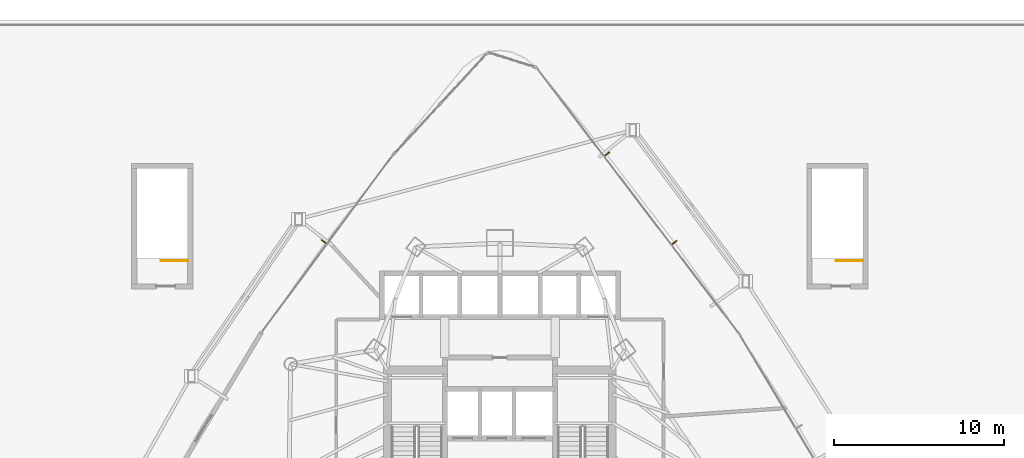
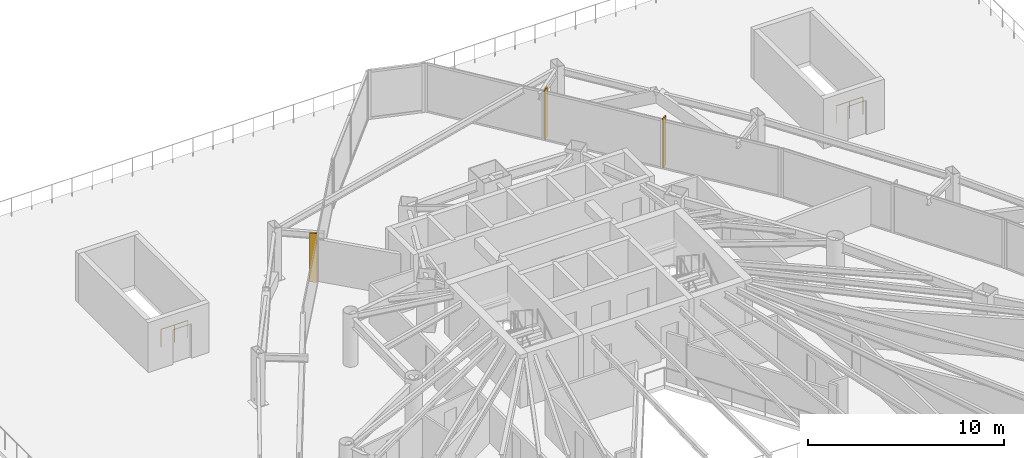
# One storey, part 36 of 36: 3 shading devices, 2 railings.
"""IFC4 building model written with IfcOpenShell, lengths in metres."""

from ifc_helpers import new_model, si_unit, direction, frame, origin, origin_2d, place, context, subcontext, project, spatial, rectangle, circle, extrude, material, layer, layer_set, type_object, element, save


model = new_model("IFC4")

# Units and contexts
model_context = context("Model", 3, precision=1e-05, world=origin(), true_north=direction((0.0, 1.0)))
body_context = subcontext(model_context, "Body", "Model", "MODEL_VIEW")
ifc_project = project(units=[si_unit("LENGTHUNIT", "METRE"), si_unit("AREAUNIT", "SQUARE_METRE"), si_unit("VOLUMEUNIT", "CUBIC_METRE"), si_unit("PLANEANGLEUNIT", "RADIAN"), si_unit("MASSUNIT", "GRAM", prefix="KILO")], contexts=[model_context])

# Site, building, storey
site_placement = place(None, origin())
site = spatial("IfcSite", under=ifc_project, at=site_placement, CompositionType="ELEMENT")
building_placement = place(site_placement, origin())
building = spatial("IfcBuilding", under=site, at=building_placement, Name="Orvanel Arch Residences", CompositionType="ELEMENT")
storey_placement = place(building_placement, frame((0.0, 0.0, 23.60009765625)))
storey = spatial("IfcBuildingStorey", under=building, at=storey_placement, Name="L05", CompositionType="ELEMENT", Elevation=23.60009765625)

# Shading devices
ifc_material_1 = material(Name="Bronze-anodised aluminium AA6063-T6", Category="aluminium")
ifc_layer = layer(ifc_material_1, 0.06005859375)
ifc_layer_set = layer_set([ifc_layer], Name="Bronze-anodised aluminium AA6063-T6")
shading_device_type = type_object("IfcShadingDeviceType", Name="FIN-BRZ-380", PredefinedType="USERDEFINED", material=ifc_layer_set)
for number, where, z_axis, x_axis, name in (
    (1, (22.635009765625, 41.47412109375, -0.000244140625), (0.0, 0.0, 1.0), (-0.803856860617, 0.594822786751, 0.0), "L05 Anodised Bronze Mullion FIN 01"),
    (2, (43.283935546875, 41.43701171875, -0.000244140625), (0.0, 0.0, 1.0), (0.795473480855, 0.605988400266, 0.0), "L05 Anodised Bronze Mullion FIN 01"),
    (3, (39.31396484375, 46.64990234375, -0.000244140625), (0.0, 0.0, 1.0), (0.795473480855, 0.605988400266, 0.0), "L05 Anodised Bronze Mullion FIN 02"),
):
    element("IfcShadingDevice", number, at=place(storey_placement, frame(where, z_axis=z_axis, x_axis=x_axis)), inside=storey, type_object=shading_device_type, Name=name, ObjectType="FIN", PredefinedType="USERDEFINED", context=body_context, shape_type="SweptSolid", body=[
        extrude(rectangle(XDim=0.3798828125, YDim=0.06005859375, at=origin_2d()), origin(), (0.0, 0.0, 1.0), 3.06005859375),
    ])

# Railings
ifc_material_2 = material(Name="Structural steel AS/NZS 1163 C350L0 (Grade 350)", Category="steel")
railing_type = type_object("IfcRailingType", Name="RL-STAIR-GUARD", PredefinedType="GUARDRAIL", material=ifc_material_2)
railing_1_placement = place(storey_placement, frame((14.60009765625, 40.3701171875, 0.0)))
element("IfcRailing", 4, at=railing_1_placement, inside=storey, type_object=railing_type, Name="L05 ST-3 top well guard 1", PredefinedType="GUARDRAIL", context=body_context, shape_type="SweptSolid", body=[
    extrude(circle(Radius=0.02392578125, at=origin_2d()), frame((-0.00146484375, 0.0, 1.076171875), z_axis=(-1.0, 0.0, 0.0), x_axis=(0.0, -1.0, 0.0)), (0.0, 0.0, 1.0), 1.5771484375),
    extrude(circle(Radius=0.02099609375, at=origin_2d()), origin(), (0.0, 0.0, 1.0), 1.050048828125),
    extrude(circle(Radius=0.02099609375, at=origin_2d()), frame((-0.7900390625, 0.0, 0.0)), (0.0, 0.0, 1.0), 1.050048828125),
    extrude(circle(Radius=0.02099609375, at=origin_2d()), frame((-1.580078125, 0.0, 0.0)), (0.0, 0.0, 1.0), 1.050048828125),
])
railing_2_placement = place(storey_placement, frame((54.39990234375, 40.3701171875, 0.0)))
element("IfcRailing", 5, at=railing_2_placement, inside=storey, type_object=railing_type, Name="L05 ST-4 top well guard 1", PredefinedType="GUARDRAIL", context=body_context, shape_type="SweptSolid", body=[
    extrude(circle(Radius=0.02392578125, at=origin_2d()), frame((-0.00146484375, 0.0, 1.076171875), z_axis=(-1.0, 0.0, 0.0), x_axis=(0.0, -1.0, 0.0)), (0.0, 0.0, 1.0), 1.576904296875),
    extrude(circle(Radius=0.02099609375, at=origin_2d()), origin(), (0.0, 0.0, 1.0), 1.050048828125),
    extrude(circle(Radius=0.02099609375, at=origin_2d()), frame((-0.7900390625, 0.0, 0.0)), (0.0, 0.0, 1.0), 1.050048828125),
    extrude(circle(Radius=0.02099609375, at=origin_2d()), frame((-1.579833984375, 0.0, 0.0)), (0.0, 0.0, 1.0), 1.050048828125),
])

save(model, "model.ifc")
